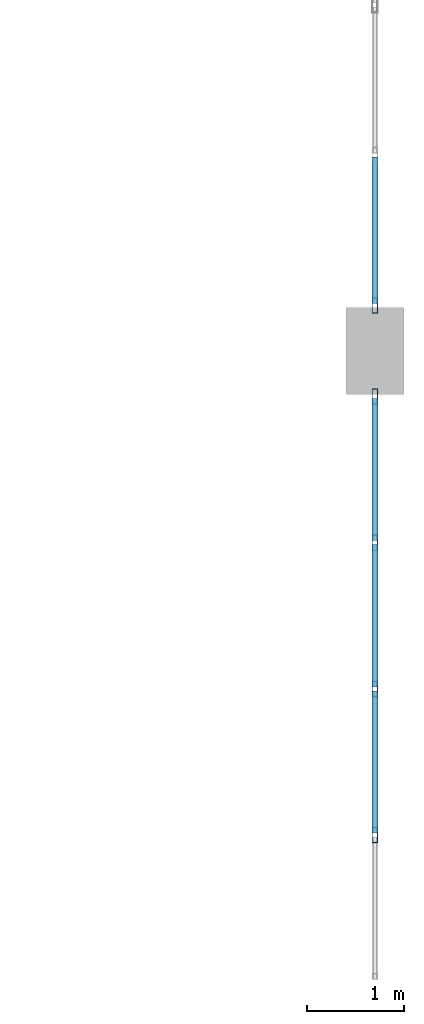
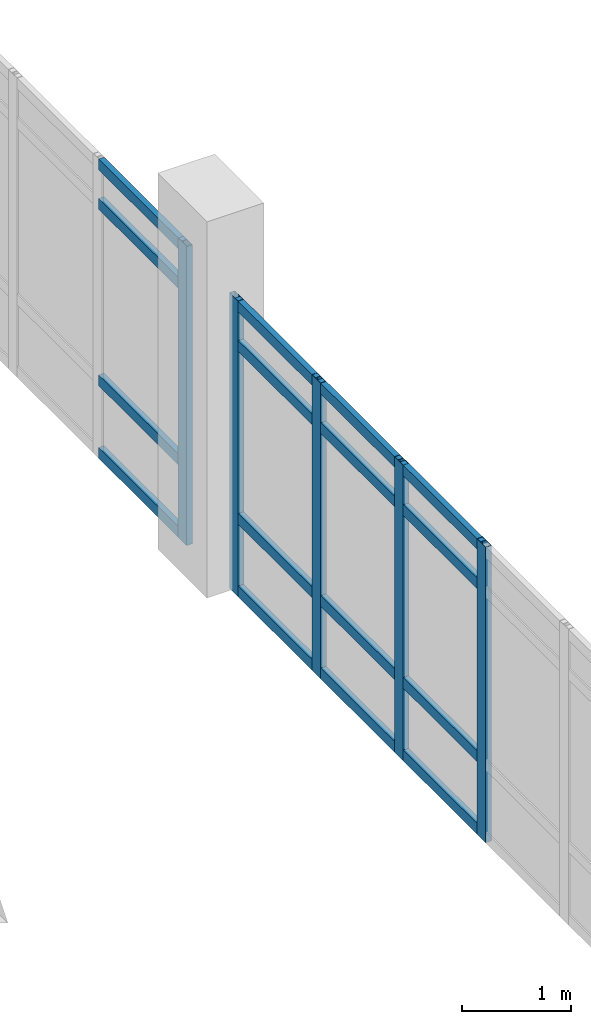
# One storey, part 84 of 111: 21 members, 2 elements without a shape of their own.
"""IFC4 building model written with IfcOpenShell, lengths in metres."""

from ifc_helpers import new_model, si_unit, direction, frame, origin, origin_2d, place, context, subcontext, project, spatial, hollow_rectangle, extrude, material, layer, layer_set, material_profile, profile_set, type_object, element, aggregate, save


model = new_model("IFC4")

# Units and contexts
model_context = context("Model", 3, precision=1e-05, world=origin(), true_north=direction((0.0, 1.0)))
body_context = subcontext(model_context, "Body", "Model", "MODEL_VIEW")
ifc_project = project(units=[si_unit("LENGTHUNIT", "METRE"), si_unit("AREAUNIT", "SQUARE_METRE"), si_unit("VOLUMEUNIT", "CUBIC_METRE"), si_unit("PLANEANGLEUNIT", "RADIAN"), si_unit("MASSUNIT", "GRAM", prefix="KILO")], contexts=[model_context])

# Site, building, storey
site_placement = place(None, origin())
site = spatial("IfcSite", under=ifc_project, at=site_placement, CompositionType="ELEMENT")
building_placement = place(site_placement, origin())
building = spatial("IfcBuilding", under=site, at=building_placement, Name="Mersad Railyard Sports Hall", CompositionType="ELEMENT")
storey_placement = place(building_placement, frame((0.0, 0.0, 9.0)))
storey = spatial("IfcBuildingStorey", under=building, at=storey_placement, Name="L02", CompositionType="ELEMENT", Elevation=9.0)

# Curtain wall, members
ifc_material = material(Name="Aluminium 6063-T6", Category="aluminium")
ifc_layer_1 = layer(ifc_material, 0.159912109375)
ifc_layer_set_1 = layer_set([ifc_layer_1], Name="Aluminium 6063-T6")
curtain_wall_type_1 = type_object("IfcCurtainWallType", Name="ARC-CW-CW17", PredefinedType="USERDEFINED", material=ifc_layer_set_1)
curtain_wall_1_placement = place(storey_placement, origin())
curtain_wall_1 = element("IfcCurtainWall", 1, at=curtain_wall_1_placement, inside=storey, type_object=curtain_wall_type_1, Name="Curtain wall CW17-0057", ObjectType="CURTAIN WALL", PredefinedType="USERDEFINED")
ifc_material_profile_1 = material_profile(ifc_material, hollow_rectangle(XDim=0.06005859375, YDim=0.159912109375, WallThickness=0.00390625, at=origin_2d()), Name="AL MULLION 60x160x4")
ifc_profile_set_1 = profile_set([ifc_material_profile_1], Name="Aluminium 6063-T6")
member_type_1 = type_object("IfcMemberType", Name="ARC-CW-MUL01", PredefinedType="MULLION", material=ifc_profile_set_1)
member_1_placement = place(storey_placement, frame((179.0, 73.030029296875, -0.02001953125), z_axis=(0.0, 0.0, 1.0), x_axis=(1.0, 0.0, 0.0)))
member_1 = element("IfcMember", 2, at=member_1_placement, type_object=member_type_1, Name="CW17 Mullion 1", PredefinedType="MULLION", context=body_context, shape_type="SweptSolid", body=[
    extrude(hollow_rectangle(XDim=0.06005859375, YDim=0.159912109375, WallThickness=0.00390625, at=origin_2d()), origin(), (0.0, 0.0, 1.0), 3.300048828125),
])
member_2_placement = place(storey_placement, frame((179.0, 71.52001953125, -0.02001953125), z_axis=(0.0, 0.0, 1.0), x_axis=(1.0, 0.0, 0.0)))
member_2 = element("IfcMember", 3, at=member_2_placement, type_object=member_type_1, Name="CW17 Mullion 2", PredefinedType="MULLION", context=body_context, shape_type="SweptSolid", body=[
    extrude(hollow_rectangle(XDim=0.06005859375, YDim=0.159912109375, WallThickness=0.00390625, at=origin_2d()), origin(), (0.0, 0.0, 1.0), 3.300048828125),
])
member_3_placement = place(storey_placement, frame((179.0, 70.010009765625, -0.02001953125), z_axis=(0.0, 0.0, 1.0), x_axis=(1.0, 0.0, 0.0)))
member_3 = element("IfcMember", 4, at=member_3_placement, type_object=member_type_1, Name="CW17 Mullion 3", PredefinedType="MULLION", context=body_context, shape_type="SweptSolid", body=[
    extrude(hollow_rectangle(XDim=0.06005859375, YDim=0.159912109375, WallThickness=0.00390625, at=origin_2d()), origin(), (0.0, 0.0, 1.0), 3.300048828125),
])
member_4_placement = place(storey_placement, frame((179.0, 68.5, -0.02001953125), z_axis=(0.0, 0.0, 1.0), x_axis=(1.0, 0.0, 0.0)))
member_4 = element("IfcMember", 5, at=member_4_placement, type_object=member_type_1, Name="CW17 Mullion 4", PredefinedType="MULLION", context=body_context, shape_type="SweptSolid", body=[
    extrude(hollow_rectangle(XDim=0.06005859375, YDim=0.159912109375, WallThickness=0.00390625, at=origin_2d()), origin(), (0.0, 0.0, 1.0), 3.300048828125),
])

# Curtain wall, member
ifc_layer_2 = layer(ifc_material, 0.159912109375)
ifc_layer_set_2 = layer_set([ifc_layer_2], Name="Aluminium 6063-T6")
curtain_wall_type_2 = type_object("IfcCurtainWallType", Name="ARC-CW-CW20", PredefinedType="USERDEFINED", material=ifc_layer_set_2)
curtain_wall_2_placement = place(storey_placement, origin())
curtain_wall_2 = element("IfcCurtainWall", 6, at=curtain_wall_2_placement, inside=storey, type_object=curtain_wall_type_2, Name="Curtain wall CW20-0059", ObjectType="CURTAIN WALL", PredefinedType="USERDEFINED")
member_5_placement = place(storey_placement, frame((179.0, 73.969970703125, -0.02001953125), z_axis=(0.0, 0.0, 1.0), x_axis=(1.0, 0.0, 0.0)))
member_5 = element("IfcMember", 7, at=member_5_placement, type_object=member_type_1, Name="CW20 Mullion 8", PredefinedType="MULLION", context=body_context, shape_type="SweptSolid", body=[
    extrude(hollow_rectangle(XDim=0.06005859375, YDim=0.159912109375, WallThickness=0.00390625, at=origin_2d()), origin(), (0.0, 0.0, 1.0), 3.340087890625),
])

# Member
ifc_material_profile_2 = material_profile(ifc_material, hollow_rectangle(XDim=0.06005859375, YDim=0.1201171875, WallThickness=0.00390625, at=origin_2d()), Name="AL TRANSOM 60x120x4")
ifc_profile_set_2 = profile_set([ifc_material_profile_2], Name="Aluminium 6063-T6")
member_type_2 = type_object("IfcMemberType", Name="ARC-CW-TRN01", PredefinedType="USERDEFINED", material=ifc_profile_set_2)
member_6_placement = place(storey_placement, frame((179.0, 73.010009765625, 0.0400390625), z_axis=(0.0, -1.0, 0.0), x_axis=(1.0, 0.0, 0.0)))
member_6 = element("IfcMember", 8, at=member_6_placement, type_object=member_type_2, Name="CW17 Transom 1-1", ObjectType="TRANSOM", PredefinedType="USERDEFINED", context=body_context, shape_type="SweptSolid", body=[
    extrude(hollow_rectangle(XDim=0.06005859375, YDim=0.1201171875, WallThickness=0.00390625, at=origin_2d()), origin(), (0.0, 0.0, 1.0), 1.469970703125),
])

member_7_placement = place(storey_placement, frame((179.0, 71.5, 0.0400390625), z_axis=(0.0, -1.0, 0.0), x_axis=(1.0, 0.0, 0.0)))
member_7 = element("IfcMember", 9, at=member_7_placement, type_object=member_type_2, Name="CW17 Transom 1-2", ObjectType="TRANSOM", PredefinedType="USERDEFINED", context=body_context, shape_type="SweptSolid", body=[
    extrude(hollow_rectangle(XDim=0.06005859375, YDim=0.1201171875, WallThickness=0.00390625, at=origin_2d()), origin(), (0.0, 0.0, 1.0), 1.469970703125),
])

member_8_placement = place(storey_placement, frame((179.0, 69.989990234375, 0.0400390625), z_axis=(0.0, -1.0, 0.0), x_axis=(1.0, 0.0, 0.0)))
member_8 = element("IfcMember", 10, at=member_8_placement, type_object=member_type_2, Name="CW17 Transom 1-3", ObjectType="TRANSOM", PredefinedType="USERDEFINED", context=body_context, shape_type="SweptSolid", body=[
    extrude(hollow_rectangle(XDim=0.06005859375, YDim=0.1201171875, WallThickness=0.00390625, at=origin_2d()), origin(), (0.0, 0.0, 1.0), 1.469970703125),
])

member_9_placement = place(storey_placement, frame((179.0, 73.010009765625, 0.85009765625), z_axis=(0.0, -1.0, 0.0), x_axis=(1.0, 0.0, 0.0)))
member_9 = element("IfcMember", 11, at=member_9_placement, type_object=member_type_2, Name="CW17 Transom 2-1", ObjectType="TRANSOM", PredefinedType="USERDEFINED", context=body_context, shape_type="SweptSolid", body=[
    extrude(hollow_rectangle(XDim=0.06005859375, YDim=0.1201171875, WallThickness=0.00390625, at=origin_2d()), origin(), (0.0, 0.0, 1.0), 1.469970703125),
])

member_10_placement = place(storey_placement, frame((179.0, 71.5, 0.85009765625), z_axis=(0.0, -1.0, 0.0), x_axis=(1.0, 0.0, 0.0)))
member_10 = element("IfcMember", 12, at=member_10_placement, type_object=member_type_2, Name="CW17 Transom 2-2", ObjectType="TRANSOM", PredefinedType="USERDEFINED", context=body_context, shape_type="SweptSolid", body=[
    extrude(hollow_rectangle(XDim=0.06005859375, YDim=0.1201171875, WallThickness=0.00390625, at=origin_2d()), origin(), (0.0, 0.0, 1.0), 1.469970703125),
])

member_11_placement = place(storey_placement, frame((179.0, 69.989990234375, 0.85009765625), z_axis=(0.0, -1.0, 0.0), x_axis=(1.0, 0.0, 0.0)))
member_11 = element("IfcMember", 13, at=member_11_placement, type_object=member_type_2, Name="CW17 Transom 2-3", ObjectType="TRANSOM", PredefinedType="USERDEFINED", context=body_context, shape_type="SweptSolid", body=[
    extrude(hollow_rectangle(XDim=0.06005859375, YDim=0.1201171875, WallThickness=0.00390625, at=origin_2d()), origin(), (0.0, 0.0, 1.0), 1.469970703125),
])

member_12_placement = place(storey_placement, frame((179.0, 73.010009765625, 2.780029296875), z_axis=(0.0, -1.0, 0.0), x_axis=(1.0, 0.0, 0.0)))
member_12 = element("IfcMember", 14, at=member_12_placement, type_object=member_type_2, Name="CW17 Transom 3-1", ObjectType="TRANSOM", PredefinedType="USERDEFINED", context=body_context, shape_type="SweptSolid", body=[
    extrude(hollow_rectangle(XDim=0.06005859375, YDim=0.1201171875, WallThickness=0.00390625, at=origin_2d()), origin(), (0.0, 0.0, 1.0), 1.469970703125),
])

member_13_placement = place(storey_placement, frame((179.0, 71.5, 2.780029296875), z_axis=(0.0, -1.0, 0.0), x_axis=(1.0, 0.0, 0.0)))
member_13 = element("IfcMember", 15, at=member_13_placement, type_object=member_type_2, Name="CW17 Transom 3-2", ObjectType="TRANSOM", PredefinedType="USERDEFINED", context=body_context, shape_type="SweptSolid", body=[
    extrude(hollow_rectangle(XDim=0.06005859375, YDim=0.1201171875, WallThickness=0.00390625, at=origin_2d()), origin(), (0.0, 0.0, 1.0), 1.469970703125),
])

member_14_placement = place(storey_placement, frame((179.0, 69.989990234375, 2.780029296875), z_axis=(0.0, -1.0, 0.0), x_axis=(1.0, 0.0, 0.0)))
member_14 = element("IfcMember", 16, at=member_14_placement, type_object=member_type_2, Name="CW17 Transom 3-3", ObjectType="TRANSOM", PredefinedType="USERDEFINED", context=body_context, shape_type="SweptSolid", body=[
    extrude(hollow_rectangle(XDim=0.06005859375, YDim=0.1201171875, WallThickness=0.00390625, at=origin_2d()), origin(), (0.0, 0.0, 1.0), 1.469970703125),
])

member_15_placement = place(storey_placement, frame((179.0, 73.010009765625, 3.219970703125), z_axis=(0.0, -1.0, 0.0), x_axis=(1.0, 0.0, 0.0)))
member_15 = element("IfcMember", 17, at=member_15_placement, type_object=member_type_2, Name="CW17 Transom 4-1", ObjectType="TRANSOM", PredefinedType="USERDEFINED", context=body_context, shape_type="SweptSolid", body=[
    extrude(hollow_rectangle(XDim=0.06005859375, YDim=0.1201171875, WallThickness=0.00390625, at=origin_2d()), origin(), (0.0, 0.0, 1.0), 1.469970703125),
])

member_16_placement = place(storey_placement, frame((179.0, 71.5, 3.219970703125), z_axis=(0.0, -1.0, 0.0), x_axis=(1.0, 0.0, 0.0)))
member_16 = element("IfcMember", 18, at=member_16_placement, type_object=member_type_2, Name="CW17 Transom 4-2", ObjectType="TRANSOM", PredefinedType="USERDEFINED", context=body_context, shape_type="SweptSolid", body=[
    extrude(hollow_rectangle(XDim=0.06005859375, YDim=0.1201171875, WallThickness=0.00390625, at=origin_2d()), origin(), (0.0, 0.0, 1.0), 1.469970703125),
])

member_17_placement = place(storey_placement, frame((179.0, 69.989990234375, 3.219970703125), z_axis=(0.0, -1.0, 0.0), x_axis=(1.0, 0.0, 0.0)))
member_17 = element("IfcMember", 19, at=member_17_placement, type_object=member_type_2, Name="CW17 Transom 4-3", ObjectType="TRANSOM", PredefinedType="USERDEFINED", context=body_context, shape_type="SweptSolid", body=[
    extrude(hollow_rectangle(XDim=0.06005859375, YDim=0.1201171875, WallThickness=0.00390625, at=origin_2d()), origin(), (0.0, 0.0, 1.0), 1.469970703125),
])

aggregate(curtain_wall_1, [member_1, member_2, member_3, member_4, member_6, member_7, member_8, member_9, member_10, member_11, member_12, member_13, member_14, member_15, member_16, member_17])

member_18_placement = place(storey_placement, frame((179.0, 75.50146484375, 0.0400390625), z_axis=(0.0, -1.0, 0.0), x_axis=(1.0, 0.0, 0.0)))
member_18 = element("IfcMember", 20, at=member_18_placement, type_object=member_type_2, Name="CW20 Transom 1-7", ObjectType="TRANSOM", PredefinedType="USERDEFINED", context=body_context, shape_type="SweptSolid", body=[
    extrude(hollow_rectangle(XDim=0.06005859375, YDim=0.1201171875, WallThickness=0.00390625, at=origin_2d()), origin(), (0.0, 0.0, 1.0), 1.511474609375),
])

member_19_placement = place(storey_placement, frame((179.0, 75.50146484375, 0.85009765625), z_axis=(0.0, -1.0, 0.0), x_axis=(1.0, 0.0, 0.0)))
member_19 = element("IfcMember", 21, at=member_19_placement, type_object=member_type_2, Name="CW20 Transom 2-7", ObjectType="TRANSOM", PredefinedType="USERDEFINED", context=body_context, shape_type="SweptSolid", body=[
    extrude(hollow_rectangle(XDim=0.06005859375, YDim=0.1201171875, WallThickness=0.00390625, at=origin_2d()), origin(), (0.0, 0.0, 1.0), 1.511474609375),
])

member_20_placement = place(storey_placement, frame((179.0, 75.50146484375, 2.820068359375), z_axis=(0.0, -1.0, 0.0), x_axis=(1.0, 0.0, 0.0)))
member_20 = element("IfcMember", 22, at=member_20_placement, type_object=member_type_2, Name="CW20 Transom 3-7", ObjectType="TRANSOM", PredefinedType="USERDEFINED", context=body_context, shape_type="SweptSolid", body=[
    extrude(hollow_rectangle(XDim=0.06005859375, YDim=0.1201171875, WallThickness=0.00390625, at=origin_2d()), origin(), (0.0, 0.0, 1.0), 1.511474609375),
])

member_21_placement = place(storey_placement, frame((179.0, 75.50146484375, 3.260009765625), z_axis=(0.0, -1.0, 0.0), x_axis=(1.0, 0.0, 0.0)))
member_21 = element("IfcMember", 23, at=member_21_placement, type_object=member_type_2, Name="CW20 Transom 4-7", ObjectType="TRANSOM", PredefinedType="USERDEFINED", context=body_context, shape_type="SweptSolid", body=[
    extrude(hollow_rectangle(XDim=0.06005859375, YDim=0.1201171875, WallThickness=0.00390625, at=origin_2d()), origin(), (0.0, 0.0, 1.0), 1.511474609375),
])

aggregate(curtain_wall_2, [member_5, member_18, member_19, member_20, member_21])

save(model, "model.ifc")
